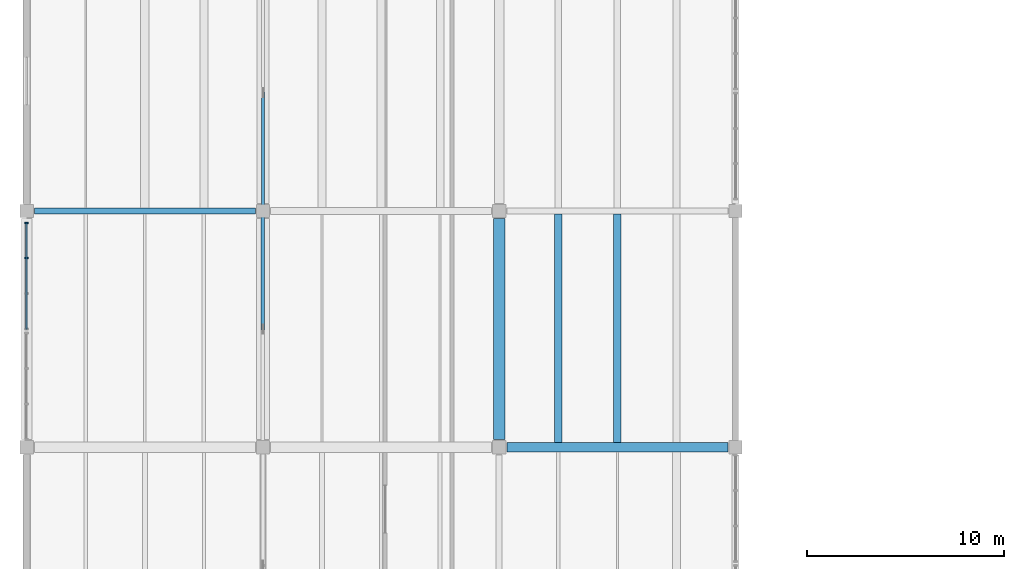
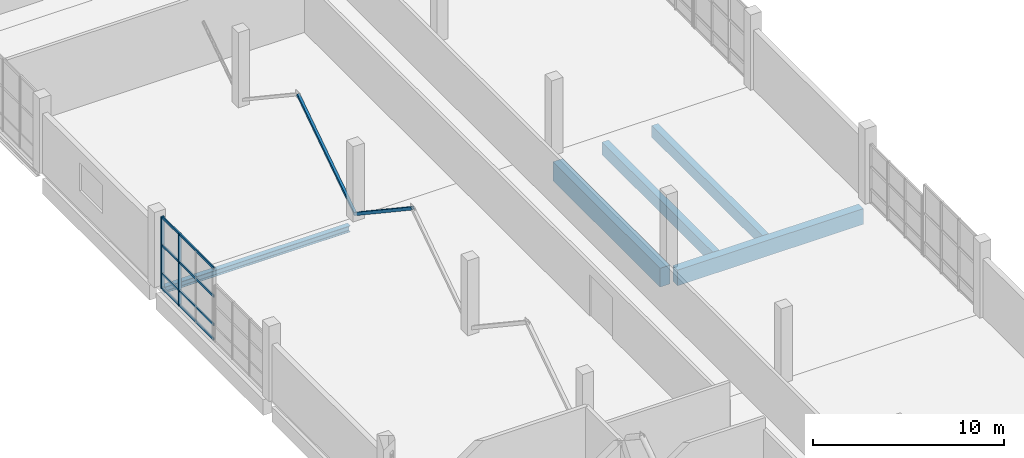
# One storey, part 10 of 49: 8 members, 5 beams, 1 element without a shape of its own.
"""IFC4 building model written with IfcOpenShell, lengths in metres."""

from ifc_helpers import new_model, si_unit, direction, frame, origin, origin_2d, place, context, subcontext, project, spatial, rectangle, hollow_rectangle, i_section, extrude, material, material_profile, profile_set, type_object, element, aggregate, save


model = new_model("IFC4")

# Units and contexts
model_context = context("Model", 3, precision=1e-05, world=origin(), true_north=direction((0.0, 1.0)))
body_context = subcontext(model_context, "Body", "Model", "MODEL_VIEW")
ifc_project = project(units=[si_unit("LENGTHUNIT", "METRE"), si_unit("AREAUNIT", "SQUARE_METRE"), si_unit("VOLUMEUNIT", "CUBIC_METRE"), si_unit("PLANEANGLEUNIT", "RADIAN"), si_unit("MASSUNIT", "GRAM", prefix="KILO")], contexts=[model_context])

# Site, building, storey
site_placement = place(None, origin())
site = spatial("IfcSite", under=ifc_project, at=site_placement, CompositionType="ELEMENT")
building_placement = place(site_placement, origin())
building = spatial("IfcBuilding", under=site, at=building_placement, Name="Kamomehara Wholesale Market", CompositionType="ELEMENT")
storey_placement = place(building_placement, frame((0.0, 0.0, 11.39990234375)))
storey = spatial("IfcBuildingStorey", under=building, at=storey_placement, Name="L02", CompositionType="ELEMENT", Elevation=11.39990234375)

# Beams
ifc_material_1 = material(Name="Precast concrete Fc45 (C40/50)", Category="concrete")
ifc_material_profile_1 = material_profile(ifc_material_1, rectangle(XDim=0.5, YDim=1.0, at=origin_2d()), Name="PC-GRD-500x1000")
ifc_profile_set_1 = profile_set([ifc_material_profile_1], Name="Precast concrete Fc45 (C40/50)")
beam_type_1 = type_object("IfcBeamType", Name="BM-PG1000", PredefinedType="T_BEAM", material=ifc_profile_set_1)
beam_1_placement = place(storey_placement, frame((24.389892578125, 84.0, -0.81201171875), z_axis=(1.0, 0.0, 0.0), x_axis=(0.0, 1.0, 0.0)))
element("IfcBeam", 1, at=beam_1_placement, inside=storey, type_object=beam_type_1, Name="Beam PG-09 L02", PredefinedType="T_BEAM", context=body_context, shape_type="SweptSolid", body=[
    extrude(rectangle(XDim=0.5, YDim=1.0, at=origin_2d()), origin(), (0.0, 0.0, 1.0), 11.22021484375),
])
ifc_material_2 = material(Name="Precast concrete Fc45 (C40/50)", Category="concrete")
ifc_material_profile_2 = material_profile(ifc_material_2, rectangle(XDim=0.60009765625, YDim=1.199951171875, at=origin_2d()), Name="PC-GRD-600x1200")
ifc_profile_set_2 = profile_set([ifc_material_profile_2], Name="Precast concrete Fc45 (C40/50)")
beam_type_2 = type_object("IfcBeamType", Name="BM-PG1200", PredefinedType="T_BEAM", material=ifc_profile_set_2)
beam_2_placement = place(storey_placement, frame((24.0, 84.389892578125, -0.94189453125), z_axis=(0.0, 1.0, 0.0), x_axis=(-1.0, 0.0, 0.0)))
element("IfcBeam", 2, at=beam_2_placement, inside=storey, type_object=beam_type_2, Name="Beam PG-05 L02", PredefinedType="T_BEAM", context=body_context, shape_type="SweptSolid", body=[
    extrude(rectangle(XDim=0.60009765625, YDim=1.199951171875, at=origin_2d()), origin(), (0.0, 0.0, 1.0), 11.22021484375),
])
ifc_material_3 = material(Name="Precast concrete Fc45 (C40/50)", Category="concrete")
ifc_material_profile_3 = material_profile(ifc_material_3, rectangle(XDim=0.3798828125, YDim=0.75, at=origin_2d()), Name="PC-JST-380x750")
ifc_profile_set_3 = profile_set([ifc_material_profile_3], Name="Precast concrete Fc45 (C40/50)")
beam_type_3 = type_object("IfcBeamType", Name="BM-PJ750", PredefinedType="JOIST", material=ifc_profile_set_3)
beam_3_placement = place(storey_placement, frame((30.0, 84.25, -0.68701171875), z_axis=(0.0, 1.0, 0.0), x_axis=(-1.0, 0.0, 0.0)))
element("IfcBeam", 3, at=beam_3_placement, inside=storey, type_object=beam_type_3, Name="Beam PJ-02 L02", PredefinedType="JOIST", context=body_context, shape_type="SweptSolid", body=[
    extrude(rectangle(XDim=0.3798828125, YDim=0.75, at=origin_2d()), origin(), (0.0, 0.0, 1.0), 11.60009765625),
])
ifc_material_4 = material(Name="Precast concrete Fc45 (C40/50)", Category="concrete")
ifc_material_profile_4 = material_profile(ifc_material_4, rectangle(XDim=0.39990234375, YDim=0.800048828125, at=origin_2d()), Name="PC-JST-400x800")
ifc_profile_set_4 = profile_set([ifc_material_profile_4], Name="Precast concrete Fc45 (C40/50)")
beam_type_4 = type_object("IfcBeamType", Name="BM-PJ800", PredefinedType="JOIST", material=ifc_profile_set_4)
beam_4_placement = place(storey_placement, frame((27.0, 84.25, -0.7119140625), z_axis=(0.0, 1.0, 0.0), x_axis=(-1.0, 0.0, 0.0)))
element("IfcBeam", 4, at=beam_4_placement, inside=storey, type_object=beam_type_4, Name="Beam PJ-01 L02", PredefinedType="JOIST", context=body_context, shape_type="SweptSolid", body=[
    extrude(rectangle(XDim=0.39990234375, YDim=0.800048828125, at=origin_2d()), origin(), (0.0, 0.0, 1.0), 11.60009765625),
])
ifc_material_5 = material(Name="Steel SN490B", Category="steel")
ifc_material_profile_5 = material_profile(ifc_material_5, i_section(OverallWidth=0.300048828125, OverallDepth=0.389892578125, WebThickness=0.010009765625, FlangeThickness=0.01611328125, FilletRadius=0.01806640625, at=origin_2d()), Name="H-390x300x10x16")
ifc_profile_set_5 = profile_set([ifc_material_profile_5], Name="Steel SN490B")
beam_type_5 = type_object("IfcBeamType", Name="BM-ST-H390-EXT", PredefinedType="SPANDREL", material=ifc_profile_set_5)
beam_5_placement = place(storey_placement, frame((0.389892578125, 96.0, -0.536865234375), z_axis=(1.0, 0.0, 0.0), x_axis=(0.0, 1.0, 0.0)))
element("IfcBeam", 5, at=beam_5_placement, inside=storey, type_object=beam_type_5, Name="Beam SJ-03E L02", PredefinedType="SPANDREL", context=body_context, shape_type="SweptSolid", body=[
    extrude(i_section(OverallWidth=0.300048828125, OverallDepth=0.389892578125, WebThickness=0.010009765625, FlangeThickness=0.01611328125, FilletRadius=0.01806640625, at=origin_2d()), origin(), (0.0, 0.0, 1.0), 11.22021484375),
])

# Curtain wall, members
ifc_material_6 = material(Name="Anodised aluminium 6063-T5", Category="aluminium")
curtain_wall_type = type_object("IfcCurtainWallType", Name="CW-UN-10", PredefinedType="NOTDEFINED", material=ifc_material_6)
curtain_wall_placement = place(storey_placement, origin())
curtain_wall = element("IfcCurtainWall", 6, at=curtain_wall_placement, inside=storey, type_object=curtain_wall_type, Name="Unitised curtain wall CW-004", PredefinedType="NOTDEFINED")
ifc_material_7 = material(Name="Anodised aluminium 6063-T5", Category="aluminium")
ifc_material_profile_6 = material_profile(ifc_material_7, rectangle(XDim=0.074951171875, YDim=0.179931640625, at=origin_2d()), Name="ALU-MUL-75x180")
ifc_profile_set_6 = profile_set([ifc_material_profile_6], Name="Anodised aluminium 6063-T5")
member_type_1 = type_object("IfcMemberType", Name="CW-MUL-180", PredefinedType="MULLION", material=ifc_profile_set_6)
member_1_placement = place(storey_placement, frame((0.0, 93.60009765625, 0.0), z_axis=(0.0, 0.0, 1.0), x_axis=(0.0, 1.0, 0.0)))
member_1 = element("IfcMember", 7, at=member_1_placement, type_object=member_type_1, Name="Mullion CW-004.2", PredefinedType="MULLION", context=body_context, shape_type="SweptSolid", body=[
    extrude(rectangle(XDim=0.074951171875, YDim=0.179931640625, at=origin_2d()), origin(), (0.0, 0.0, 1.0), 4.60009765625),
])
member_2_placement = place(storey_placement, frame((0.0, 95.39990234375, 0.0), z_axis=(0.0, 0.0, 1.0), x_axis=(0.0, 1.0, 0.0)))
member_2 = element("IfcMember", 8, at=member_2_placement, type_object=member_type_1, Name="Mullion CW-004.3", PredefinedType="MULLION", context=body_context, shape_type="SweptSolid", body=[
    extrude(rectangle(XDim=0.074951171875, YDim=0.179931640625, at=origin_2d()), origin(), (0.0, 0.0, 1.0), 4.60009765625),
])
ifc_material_8 = material(Name="Anodised aluminium 6063-T5", Category="aluminium")
ifc_material_profile_7 = material_profile(ifc_material_8, rectangle(XDim=0.074951171875, YDim=0.14990234375, at=origin_2d()), Name="ALU-TRN-75x150")
ifc_profile_set_7 = profile_set([ifc_material_profile_7], Name="Anodised aluminium 6063-T5")
member_type_2 = type_object("IfcMemberType", Name="CW-TRN-150", PredefinedType="USERDEFINED", material=ifc_profile_set_7)
member_3_placement = place(storey_placement, frame((0.0, 90.0, 0.0400390625), z_axis=(0.0, 1.0, 0.0), x_axis=(-1.0, 0.0, 0.0)))
member_3 = element("IfcMember", 9, at=member_3_placement, type_object=member_type_2, Name="Transom CW-004.0", ObjectType="TRANSOM", PredefinedType="USERDEFINED", context=body_context, shape_type="SweptSolid", body=[
    extrude(rectangle(XDim=0.074951171875, YDim=0.14990234375, at=origin_2d()), origin(), (0.0, 0.0, 1.0), 5.39990234375),
])
member_4_placement = place(storey_placement, frame((0.0, 90.0, 0.9501953125), z_axis=(0.0, 1.0, 0.0), x_axis=(-1.0, 0.0, 0.0)))
member_4 = element("IfcMember", 10, at=member_4_placement, type_object=member_type_2, Name="Transom CW-004.1", ObjectType="TRANSOM", PredefinedType="USERDEFINED", context=body_context, shape_type="SweptSolid", body=[
    extrude(rectangle(XDim=0.074951171875, YDim=0.14990234375, at=origin_2d()), origin(), (0.0, 0.0, 1.0), 5.39990234375),
])
member_5_placement = place(storey_placement, frame((0.0, 90.0, 2.775146484375), z_axis=(0.0, 1.0, 0.0), x_axis=(-1.0, 0.0, 0.0)))
member_5 = element("IfcMember", 11, at=member_5_placement, type_object=member_type_2, Name="Transom CW-004.2", ObjectType="TRANSOM", PredefinedType="USERDEFINED", context=body_context, shape_type="SweptSolid", body=[
    extrude(rectangle(XDim=0.074951171875, YDim=0.14990234375, at=origin_2d()), origin(), (0.0, 0.0, 1.0), 5.39990234375),
])
member_6_placement = place(storey_placement, frame((0.0, 90.0, 4.56005859375), z_axis=(0.0, 1.0, 0.0), x_axis=(-1.0, 0.0, 0.0)))
member_6 = element("IfcMember", 12, at=member_6_placement, type_object=member_type_2, Name="Transom CW-004.3", ObjectType="TRANSOM", PredefinedType="USERDEFINED", context=body_context, shape_type="SweptSolid", body=[
    extrude(rectangle(XDim=0.074951171875, YDim=0.14990234375, at=origin_2d()), origin(), (0.0, 0.0, 1.0), 5.39990234375),
])
aggregate(curtain_wall, [member_1, member_2, member_3, member_4, member_5, member_6])

# Members
ifc_material_9 = material(Name="Steel SN400B", Category="steel")
ifc_material_profile_8 = material_profile(ifc_material_9, hollow_rectangle(XDim=0.14990234375, YDim=0.14990234375, WallThickness=0.006103515625, at=origin_2d()), Name="RHS-150x150x6")
ifc_profile_set_8 = profile_set([ifc_material_profile_8], Name="Steel SN400B")
member_type_3 = type_object("IfcMemberType", Name="MEM-BR-RHS150", PredefinedType="BRACE", material=ifc_profile_set_8)
member_7_placement = place(storey_placement, frame((12.0, 96.0, 0.2001953125), z_axis=(0.0, 0.832050294338, 0.554700196225), x_axis=(-1.0, 0.0, 0.0)))
element("IfcMember", 13, at=member_7_placement, inside=storey, type_object=member_type_3, Name="Lateral frame brace V3 96A", PredefinedType="BRACE", context=body_context, shape_type="SweptSolid", body=[
    extrude(hollow_rectangle(XDim=0.14990234375, YDim=0.14990234375, WallThickness=0.006103515625, at=origin_2d()), origin(), (0.0, 0.0, 1.0), 7.211181640625),
])
ifc_material_10 = material(Name="Steel SN490B", Category="steel")
ifc_material_profile_9 = material_profile(ifc_material_10, hollow_rectangle(XDim=0.175048828125, YDim=0.175048828125, WallThickness=0.009033203125, at=origin_2d()), Name="RHS-175x175x9")
ifc_profile_set_9 = profile_set([ifc_material_profile_9], Name="Steel SN490B")
member_type_4 = type_object("IfcMemberType", Name="MEM-BR-RHS175", PredefinedType="BRACE", material=ifc_profile_set_9)
member_8_placement = place(storey_placement, frame((12.0, 96.0, 0.2001953125), z_axis=(0.0, -0.832050294338, 0.554700196225), x_axis=(1.0, 0.0, 0.0)))
element("IfcMember", 14, at=member_8_placement, inside=storey, type_object=member_type_4, Name="Lateral frame brace V3 84B", PredefinedType="BRACE", context=body_context, shape_type="SweptSolid", body=[
    extrude(hollow_rectangle(XDim=0.175048828125, YDim=0.175048828125, WallThickness=0.009033203125, at=origin_2d()), origin(), (0.0, 0.0, 1.0), 7.211181640625),
])

save(model, "model.ifc")
